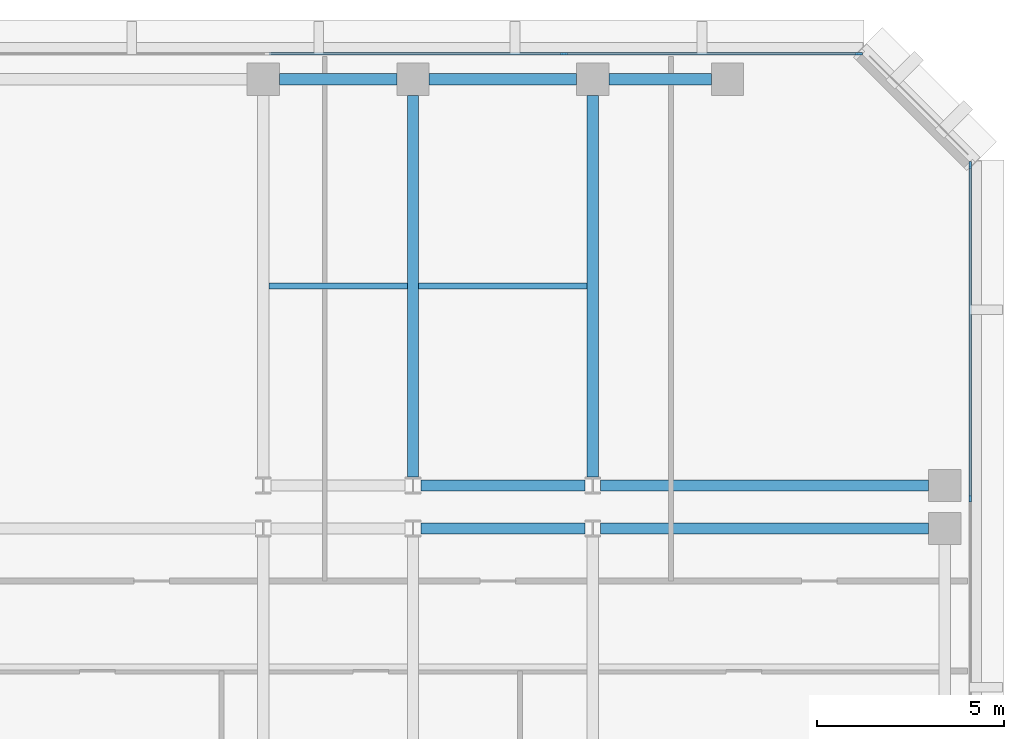
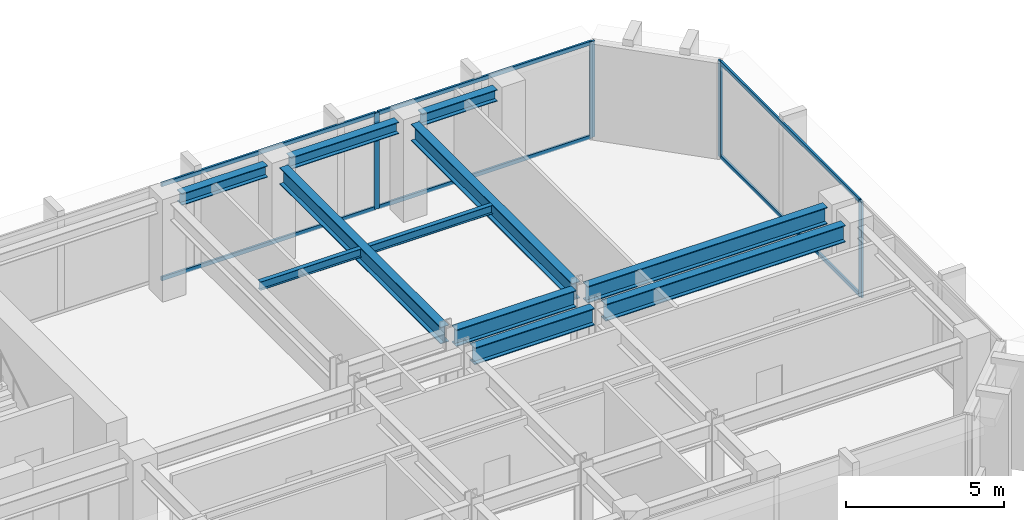
# One storey, part 5 of 12: 11 beams, 10 members, 2 elements without a shape of their own.
"""IFC4 building model written with IfcOpenShell, lengths in metres."""

from ifc_helpers import new_model, si_unit, direction, frame, origin, origin_2d, place, context, subcontext, project, spatial, rectangle, i_section, extrude, material, layer, layer_set, material_profile, profile_set, type_object, element, aggregate, save


model = new_model("IFC4")

# Units and contexts
model_context = context("Model", 3, precision=1e-05, world=origin(), true_north=direction((0.0, 1.0)))
body_context = subcontext(model_context, "Body", "Model", "MODEL_VIEW")
ifc_project = project(units=[si_unit("LENGTHUNIT", "METRE"), si_unit("AREAUNIT", "SQUARE_METRE"), si_unit("VOLUMEUNIT", "CUBIC_METRE"), si_unit("PLANEANGLEUNIT", "RADIAN"), si_unit("MASSUNIT", "GRAM", prefix="KILO")], contexts=[model_context])

# Site, building, storey
site_placement = place(None, origin())
site = spatial("IfcSite", under=ifc_project, at=site_placement, CompositionType="ELEMENT")
building_placement = place(site_placement, origin())
building = spatial("IfcBuilding", under=site, at=building_placement, Name="Kefirva Bronze Tower", CompositionType="ELEMENT")
storey_placement = place(building_placement, frame((0.0, 0.0, 122.429931640625)))
storey = spatial("IfcBuildingStorey", under=building, at=storey_placement, Name="L29", CompositionType="ELEMENT", Elevation=122.429931640625)

# Curtain wall, members
ifc_material_1 = material(Name="Bronze anodised aluminium", Category="aluminium")
ifc_layer = layer(ifc_material_1, 0.199951171875, Name="Bronze anodised aluminium")
ifc_layer_set = layer_set([ifc_layer], Name="Bronze anodised aluminium")
curtain_wall_type = type_object("IfcCurtainWallType", Name="Unitised Bronze Ribbon Curtain Wall Zone 2", PredefinedType="USERDEFINED", material=ifc_layer_set)
curtain_wall_1_placement = place(storey_placement, origin())
curtain_wall_1 = element("IfcCurtainWall", 1, at=curtain_wall_1_placement, inside=storey, type_object=curtain_wall_type, Name="L29 Curtain Wall 4", ObjectType="UNITISED CURTAIN WALL", PredefinedType="USERDEFINED")
ifc_material_profile_1 = material_profile(ifc_material_1, rectangle(XDim=0.074951171875, YDim=0.179931640625, at=origin_2d()), Name="ALU 75x180")
ifc_profile_set_1 = profile_set([ifc_material_profile_1], Name="Bronze anodised aluminium")
member_type_1 = type_object("IfcMemberType", Name="Bronze Mullion 75x180", PredefinedType="MULLION", material=ifc_profile_set_1)
member_1_placement = place(storey_placement, frame((50.080078125, 34.0, 0.0), z_axis=(0.0, 0.0, 1.0), x_axis=(-1.0, 0.0, 0.0)))
member_1 = element("IfcMember", 2, at=member_1_placement, type_object=member_type_1, Name="CW-02 mullion 2", PredefinedType="MULLION", context=body_context, shape_type="SweptSolid", body=[
    extrude(rectangle(XDim=0.074951171875, YDim=0.179931640625, at=origin_2d()), origin(), (0.0, 0.0, 1.0), 3.7099609375),
])
member_2_placement = place(storey_placement, frame((50.080078125, 42.907470703125, 0.0), z_axis=(0.0, 0.0, 1.0), x_axis=(-1.0, 0.0, 0.0)))
member_2 = element("IfcMember", 3, at=member_2_placement, type_object=member_type_1, Name="CW-02 mullion 3", PredefinedType="MULLION", context=body_context, shape_type="SweptSolid", body=[
    extrude(rectangle(XDim=0.074951171875, YDim=0.179931640625, at=origin_2d()), origin(), (0.0, 0.0, 1.0), 3.7099609375),
])

curtain_wall_2_placement = place(storey_placement, origin())
curtain_wall_2 = element("IfcCurtainWall", 4, at=curtain_wall_2_placement, inside=storey, type_object=curtain_wall_type, Name="L29 Curtain Wall 5", ObjectType="UNITISED CURTAIN WALL", PredefinedType="USERDEFINED")
member_3_placement = place(storey_placement, frame((47.107421875, 45.8798828125, 0.0), z_axis=(0.0, 0.0, 1.0), x_axis=(0.0, -1.0, 0.0)))
member_3 = element("IfcMember", 5, at=member_3_placement, type_object=member_type_1, Name="CW-02 mullion 1", PredefinedType="MULLION", context=body_context, shape_type="SweptSolid", body=[
    extrude(rectangle(XDim=0.074951171875, YDim=0.179931640625, at=origin_2d()), origin(), (0.0, 0.0, 1.0), 3.7099609375),
])
member_4_placement = place(storey_placement, frame((39.231689453125, 45.8798828125, 0.0), z_axis=(0.0, 0.0, 1.0), x_axis=(0.0, -1.0, 0.0)))
member_4 = element("IfcMember", 6, at=member_4_placement, type_object=member_type_1, Name="CW-02 mullion 2", PredefinedType="MULLION", context=body_context, shape_type="SweptSolid", body=[
    extrude(rectangle(XDim=0.074951171875, YDim=0.179931640625, at=origin_2d()), origin(), (0.0, 0.0, 1.0), 3.7099609375),
])

# Member
ifc_material_profile_2 = material_profile(ifc_material_1, rectangle(XDim=0.074951171875, YDim=0.14990234375, at=origin_2d()), Name="ALU 75x150")
ifc_profile_set_2 = profile_set([ifc_material_profile_2], Name="Bronze anodised aluminium")
member_type_2 = type_object("IfcMemberType", Name="Bronze Transom 75x150", PredefinedType="USERDEFINED", material=ifc_profile_set_2)
member_5_placement = place(storey_placement, frame((50.080078125, 34.03759765625, 0.03759765625), z_axis=(0.0, 1.0, 0.0), x_axis=(-1.0, 0.0, 0.0)))
member_5 = element("IfcMember", 7, at=member_5_placement, type_object=member_type_2, Name="CW-02 transom 2.1", ObjectType="TRANSOM", PredefinedType="USERDEFINED", context=body_context, shape_type="SweptSolid", body=[
    extrude(rectangle(XDim=0.074951171875, YDim=0.14990234375, at=origin_2d()), origin(), (0.0, 0.0, 1.0), 8.83251953125),
])

member_6_placement = place(storey_placement, frame((50.080078125, 34.03759765625, 3.672607421875), z_axis=(0.0, 1.0, 0.0), x_axis=(-1.0, 0.0, 0.0)))
member_6 = element("IfcMember", 8, at=member_6_placement, type_object=member_type_2, Name="CW-02 transom 2.2", ObjectType="TRANSOM", PredefinedType="USERDEFINED", context=body_context, shape_type="SweptSolid", body=[
    extrude(rectangle(XDim=0.074951171875, YDim=0.14990234375, at=origin_2d()), origin(), (0.0, 0.0, 1.0), 8.83251953125),
])

aggregate(curtain_wall_1, [member_1, member_2, member_5, member_6])

member_7_placement = place(storey_placement, frame((47.070068359375, 45.8798828125, 0.03759765625), z_axis=(-1.0, 0.0, 0.0), x_axis=(0.0, -1.0, 0.0)))
member_7 = element("IfcMember", 9, at=member_7_placement, type_object=member_type_2, Name="CW-02 transom 1.1", ObjectType="TRANSOM", PredefinedType="USERDEFINED", context=body_context, shape_type="SweptSolid", body=[
    extrude(rectangle(XDim=0.074951171875, YDim=0.14990234375, at=origin_2d()), origin(), (0.0, 0.0, 1.0), 7.80078125),
])

member_8_placement = place(storey_placement, frame((47.070068359375, 45.8798828125, 3.672607421875), z_axis=(-1.0, 0.0, 0.0), x_axis=(0.0, -1.0, 0.0)))
member_8 = element("IfcMember", 10, at=member_8_placement, type_object=member_type_2, Name="CW-02 transom 1.2", ObjectType="TRANSOM", PredefinedType="USERDEFINED", context=body_context, shape_type="SweptSolid", body=[
    extrude(rectangle(XDim=0.074951171875, YDim=0.14990234375, at=origin_2d()), origin(), (0.0, 0.0, 1.0), 7.80078125),
])

member_9_placement = place(storey_placement, frame((39.194091796875, 45.8798828125, 0.03759765625), z_axis=(-1.0, 0.0, 0.0), x_axis=(0.0, -1.0, 0.0)))
member_9 = element("IfcMember", 11, at=member_9_placement, type_object=member_type_2, Name="CW-02 transom 2.1", ObjectType="TRANSOM", PredefinedType="USERDEFINED", context=body_context, shape_type="SweptSolid", body=[
    extrude(rectangle(XDim=0.074951171875, YDim=0.14990234375, at=origin_2d()), origin(), (0.0, 0.0, 1.0), 7.83837890625),
])

member_10_placement = place(storey_placement, frame((39.194091796875, 45.8798828125, 3.672607421875), z_axis=(-1.0, 0.0, 0.0), x_axis=(0.0, -1.0, 0.0)))
member_10 = element("IfcMember", 12, at=member_10_placement, type_object=member_type_2, Name="CW-02 transom 2.2", ObjectType="TRANSOM", PredefinedType="USERDEFINED", context=body_context, shape_type="SweptSolid", body=[
    extrude(rectangle(XDim=0.074951171875, YDim=0.14990234375, at=origin_2d()), origin(), (0.0, 0.0, 1.0), 7.83837890625),
])

aggregate(curtain_wall_2, [member_3, member_4, member_7, member_8, member_9, member_10])

# Beams
ifc_material_2 = material(Name="Steel S355", Category="steel")
ifc_material_profile_3 = material_profile(ifc_material_2, i_section(OverallWidth=0.159912109375, OverallDepth=0.330078125, WebThickness=0.007568359375, FlangeThickness=0.011474609375, at=origin_2d()), Name="IPE 330")
ifc_profile_set_3 = profile_set([ifc_material_profile_3], Name="Steel S355")
beam_type_1 = type_object("IfcBeamType", Name="Steel Floor Joist IPE 330", PredefinedType="JOIST", material=ifc_profile_set_3)
beam_1_placement = place(storey_placement, frame((31.35009765625, 39.673583984375, 3.545166015625), z_axis=(1.0, 0.0, 0.0), x_axis=(0.0, 1.0, 0.0)))
element("IfcBeam", 13, at=beam_1_placement, inside=storey, type_object=beam_type_1, Name="L29 JST-L29-31-396", PredefinedType="JOIST", context=body_context, shape_type="SweptSolid", body=[
    extrude(i_section(OverallWidth=0.159912109375, OverallDepth=0.330078125, WebThickness=0.007568359375, FlangeThickness=0.011474609375, at=origin_2d()), origin(), (0.0, 0.0, 1.0), 3.699951171875),
])
beam_2_placement = place(storey_placement, frame((35.35009765625, 39.673583984375, 3.545166015625), z_axis=(1.0, 0.0, 0.0), x_axis=(0.0, 1.0, 0.0)))
element("IfcBeam", 14, at=beam_2_placement, inside=storey, type_object=beam_type_1, Name="L29 JST-L29-35-396", PredefinedType="JOIST", context=body_context, shape_type="SweptSolid", body=[
    extrude(i_section(OverallWidth=0.159912109375, OverallDepth=0.330078125, WebThickness=0.007568359375, FlangeThickness=0.011474609375, at=origin_2d()), origin(), (0.0, 0.0, 1.0), 4.5),
])
ifc_material_profile_4 = material_profile(ifc_material_2, i_section(OverallWidth=0.300048828125, OverallDepth=0.64990234375, WebThickness=0.01611328125, FlangeThickness=0.031005859375, at=origin_2d()), Name="HEB 650")
ifc_profile_set_4 = profile_set([ifc_material_profile_4], Name="Steel S355")
beam_type_2 = type_object("IfcBeamType", Name="Steel Girder HEB 650", PredefinedType="USERDEFINED", material=ifc_profile_set_4)
beam_3_placement = place(storey_placement, frame((35.408935546875, 33.199951171875, 3.385009765625), z_axis=(1.0, 0.0, 0.0), x_axis=(0.0, 1.0, 0.0)))
element("IfcBeam", 15, at=beam_3_placement, inside=storey, type_object=beam_type_2, Name="L29 BM-L29-EW-35-332", ObjectType="GIRDER", PredefinedType="USERDEFINED", context=body_context, shape_type="SweptSolid", body=[
    extrude(i_section(OverallWidth=0.300048828125, OverallDepth=0.64990234375, WebThickness=0.01611328125, FlangeThickness=0.031005859375, at=origin_2d()), origin(), (0.0, 0.0, 1.0), 4.382080078125),
])
beam_4_placement = place(storey_placement, frame((40.208984375, 33.199951171875, 3.385009765625), z_axis=(1.0, 0.0, 0.0), x_axis=(0.0, 1.0, 0.0)))
element("IfcBeam", 16, at=beam_4_placement, inside=storey, type_object=beam_type_2, Name="L29 BM-L29-EW-40-332", ObjectType="GIRDER", PredefinedType="USERDEFINED", context=body_context, shape_type="SweptSolid", body=[
    extrude(i_section(OverallWidth=0.300048828125, OverallDepth=0.64990234375, WebThickness=0.01611328125, FlangeThickness=0.031005859375, at=origin_2d()), origin(), (0.0, 0.0, 1.0), 8.760986328125),
])
beam_5_placement = place(storey_placement, frame((35.408935546875, 34.35009765625, 3.385009765625), z_axis=(1.0, 0.0, 0.0), x_axis=(0.0, 1.0, 0.0)))
element("IfcBeam", 17, at=beam_5_placement, inside=storey, type_object=beam_type_2, Name="L29 BM-L29-EW-35-344", ObjectType="GIRDER", PredefinedType="USERDEFINED", context=body_context, shape_type="SweptSolid", body=[
    extrude(i_section(OverallWidth=0.300048828125, OverallDepth=0.64990234375, WebThickness=0.01611328125, FlangeThickness=0.031005859375, at=origin_2d()), origin(), (0.0, 0.0, 1.0), 4.382080078125),
])
beam_6_placement = place(storey_placement, frame((40.208984375, 34.35009765625, 3.385009765625), z_axis=(1.0, 0.0, 0.0), x_axis=(0.0, 1.0, 0.0)))
element("IfcBeam", 18, at=beam_6_placement, inside=storey, type_object=beam_type_2, Name="L29 BM-L29-EW-40-344", ObjectType="GIRDER", PredefinedType="USERDEFINED", context=body_context, shape_type="SweptSolid", body=[
    extrude(i_section(OverallWidth=0.300048828125, OverallDepth=0.64990234375, WebThickness=0.01611328125, FlangeThickness=0.031005859375, at=origin_2d()), origin(), (0.0, 0.0, 1.0), 8.760986328125),
])
for number, where, z_axis, x_axis, name in (
    (19, (35.199951171875, 34.577392578125, 3.385009765625), (0.0, 1.0, 0.0), (-1.0, 0.0, 0.0), "L29 BM-L29-NS-352-34"),
    (20, (40.0, 34.577392578125, 3.385009765625), (0.0, 1.0, 0.0), (-1.0, 0.0, 0.0), "L29 BM-L29-NS-400-34"),
):
    element("IfcBeam", number, at=place(storey_placement, frame(where, z_axis=z_axis, x_axis=x_axis)), inside=storey, type_object=beam_type_2, Name=name, ObjectType="GIRDER", PredefinedType="USERDEFINED", context=body_context, shape_type="SweptSolid", body=[
        extrude(i_section(OverallWidth=0.300048828125, OverallDepth=0.64990234375, WebThickness=0.01611328125, FlangeThickness=0.031005859375, at=origin_2d()), origin(), (0.0, 0.0, 1.0), 10.192626953125),
    ])
ifc_material_profile_5 = material_profile(ifc_material_2, i_section(OverallWidth=0.300048828125, OverallDepth=0.449951171875, WebThickness=0.013916015625, FlangeThickness=0.02587890625, at=origin_2d()), Name="HEB 450")
ifc_profile_set_5 = profile_set([ifc_material_profile_5], Name="Steel S355")
beam_type_3 = type_object("IfcBeamType", Name="Steel Spandrel HEB 450 Ext", PredefinedType="SPANDREL", material=ifc_profile_set_5)
beam_7_placement = place(storey_placement, frame((31.6298828125, 45.199951171875, 3.485107421875), z_axis=(1.0, 0.0, 0.0), x_axis=(0.0, 1.0, 0.0)))
element("IfcBeam", 21, at=beam_7_placement, inside=storey, type_object=beam_type_3, Name="L29 BM-L29-EW-31-452", PredefinedType="SPANDREL", context=body_context, shape_type="SweptSolid", body=[
    extrude(i_section(OverallWidth=0.300048828125, OverallDepth=0.449951171875, WebThickness=0.013916015625, FlangeThickness=0.02587890625, at=origin_2d()), origin(), (0.0, 0.0, 1.0), 3.14013671875),
])
beam_8_placement = place(storey_placement, frame((35.6298828125, 45.199951171875, 3.485107421875), z_axis=(1.0, 0.0, 0.0), x_axis=(0.0, 1.0, 0.0)))
element("IfcBeam", 22, at=beam_8_placement, inside=storey, type_object=beam_type_3, Name="L29 BM-L29-EW-35-452", PredefinedType="SPANDREL", context=body_context, shape_type="SweptSolid", body=[
    extrude(i_section(OverallWidth=0.300048828125, OverallDepth=0.449951171875, WebThickness=0.013916015625, FlangeThickness=0.02587890625, at=origin_2d()), origin(), (0.0, 0.0, 1.0), 3.940185546875),
])
beam_9_placement = place(storey_placement, frame((40.429931640625, 45.199951171875, 3.485107421875), z_axis=(1.0, 0.0, 0.0), x_axis=(0.0, 1.0, 0.0)))
element("IfcBeam", 23, at=beam_9_placement, inside=storey, type_object=beam_type_3, Name="L29 BM-L29-EW-40-452", PredefinedType="SPANDREL", context=body_context, shape_type="SweptSolid", body=[
    extrude(i_section(OverallWidth=0.300048828125, OverallDepth=0.449951171875, WebThickness=0.013916015625, FlangeThickness=0.02587890625, at=origin_2d()), origin(), (0.0, 0.0, 1.0), 2.739990234375),
])

save(model, "model.ifc")
